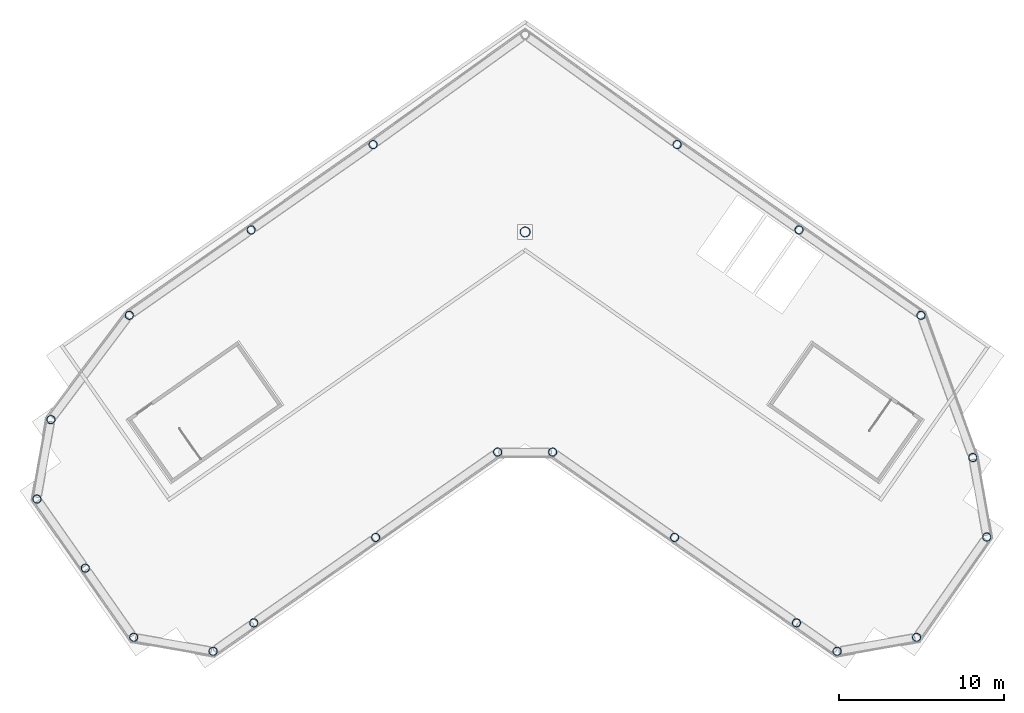
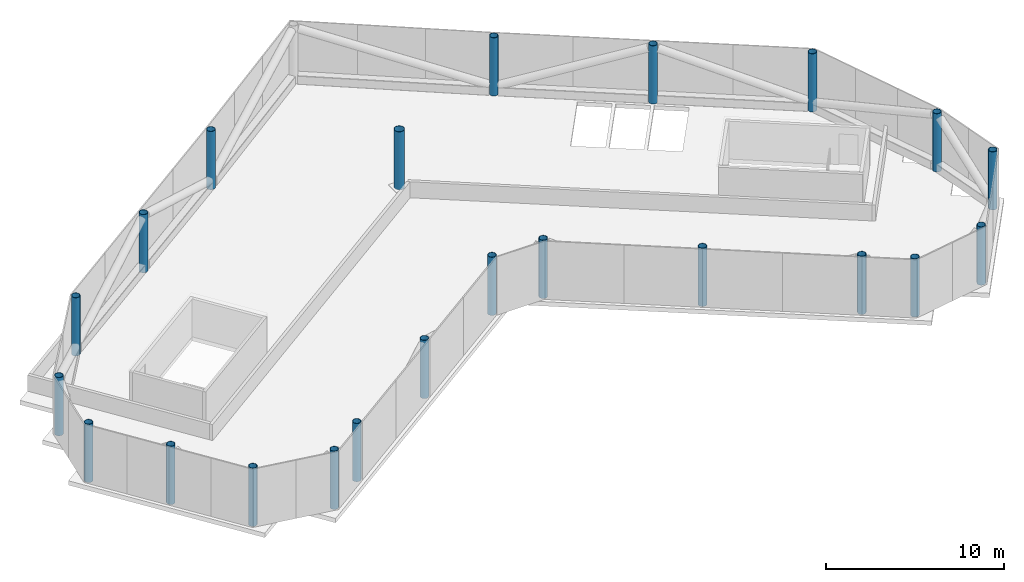
# One storey, part 1 of 4: 22 columns.
"""IFC4 building model written with IfcOpenShell, lengths in metres."""

from ifc_helpers import new_model, si_unit, direction, frame, origin, origin_with_axes, origin_2d, place, context, subcontext, project, spatial, hollow_circle, extrude, material, material_profile, profile_set, type_object, element, save


model = new_model("IFC4")

# Units and contexts
model_context = context("Model", 3, precision=1e-05, world=origin(), true_north=direction((0.0, 1.0)))
body_context = subcontext(model_context, "Body", "Model", "MODEL_VIEW")
ifc_project = project(units=[si_unit("LENGTHUNIT", "METRE"), si_unit("AREAUNIT", "SQUARE_METRE"), si_unit("VOLUMEUNIT", "CUBIC_METRE"), si_unit("PLANEANGLEUNIT", "RADIAN"), si_unit("MASSUNIT", "GRAM", prefix="KILO")], contexts=[model_context])

# Site, building, storey
site_placement = place(None, origin())
site = spatial("IfcSite", under=ifc_project, at=site_placement, CompositionType="ELEMENT")
building_placement = place(site_placement, origin())
building = spatial("IfcBuilding", under=site, at=building_placement, Name="Tel Ilan Convention Tower", CompositionType="ELEMENT")
storey_placement = place(building_placement, frame((0.0, 0.0, 318.800048828125)))
storey = spatial("IfcBuildingStorey", under=building, at=storey_placement, Name="L75", CompositionType="ELEMENT", Elevation=318.800048828125)

# Columns
ifc_material_1 = material(Name="Steel S355", Category="steel")
ifc_material_profile_1 = material_profile(ifc_material_1, hollow_circle(Radius=0.25390625, WallThickness=0.02490234375, at=origin_2d()), Name="CHS 508x25")
ifc_profile_set_1 = profile_set([ifc_material_profile_1], Name="Steel S355")
column_type_1 = type_object("IfcColumnType", Name="CROWN FRAME COLUMN CHS 508x25", PredefinedType="COLUMN", material=ifc_profile_set_1)
for number, where, z_axis, x_axis, name in (
    (1, (-18.866943359375, -25.35791015625, 0.0), (0.0, 0.0, 1.0), (1.0, 0.0, 0.0), "CROWN FRAME column"),
    (2, (-16.409912109375, -23.636962890625, 0.0), (0.0, 0.0, 1.0), (1.0, 0.0, 0.0), "CROWN FRAME column"),
    (3, (-9.0380859375, -18.47509765625, 0.0), (0.0, 0.0, 1.0), (1.0, 0.0, 0.0), "CROWN FRAME column"),
    (4, (-1.6650390625, -13.31298828125, 0.0), (0.0, 0.0, 1.0), (1.0, 0.0, 0.0), "CROWN FRAME column"),
    (5, (1.6650390625, -13.31298828125, 0.0), (0.0, 0.0, 1.0), (1.0, 0.0, 0.0), "CROWN FRAME column"),
    (6, (9.0380859375, -18.47509765625, 0.0), (0.0, 0.0, 1.0), (1.0, 0.0, 0.0), "CROWN FRAME column"),
    (7, (16.409912109375, -23.636962890625, 0.0), (0.0, 0.0, 1.0), (1.0, 0.0, 0.0), "CROWN FRAME column"),
    (8, (18.866943359375, -25.35791015625, 0.0), (0.0, 0.0, 1.0), (1.0, 0.0, 0.0), "CROWN FRAME column"),
    (9, (23.672119140625, -24.510986328125, 0.0), (0.0, 0.0, 1.0), (1.0, 0.0, 0.0), "CROWN FRAME column"),
    (10, (27.9169921875, -18.448974609375, 0.0), (0.0, 0.0, 1.0), (1.0, 0.0, 0.0), "CROWN FRAME column"),
    (11, (27.070068359375, -13.64404296875, 0.0), (0.0, 0.0, 1.0), (1.0, 0.0, 0.0), "CROWN FRAME column"),
    (12, (23.93701171875, -5.0419921875, 0.0), (0.0, 0.0, 1.0), (1.0, 0.0, 0.0), "CROWN FRAME column"),
    (13, (16.56494140625, 0.12109375, 0.0), (0.0, 0.0, 1.0), (1.0, 0.0, 0.0), "CROWN FRAME column"),
    (14, (9.193115234375, 5.282958984375, 0.0), (0.0, 0.0, 1.0), (1.0, 0.0, 0.0), "CROWN FRAME column"),
    (15, (-9.193115234375, 5.282958984375, 0.0), (0.0, 0.0, 1.0), (1.0, 0.0, 0.0), "CROWN FRAME column"),
    (16, (-16.56494140625, 0.12109375, 0.0), (0.0, 0.0, 1.0), (1.0, 0.0, 0.0), "CROWN FRAME column"),
    (17, (-23.93701171875, -5.0419921875, 0.0), (0.0, 0.0, 1.0), (1.0, 0.0, 0.0), "CROWN FRAME column"),
    (18, (-28.676025390625, -11.35009765625, 0.0), (0.0, 0.0, 1.0), (1.0, 0.0, 0.0), "CROWN FRAME column"),
    (19, (-29.52294921875, -16.155029296875, 0.0), (0.0, 0.0, 1.0), (1.0, 0.0, 0.0), "CROWN FRAME column"),
    (20, (-26.597900390625, -20.3330078125, 0.0), (0.0, 0.0, 1.0), (1.0, 0.0, 0.0), "CROWN FRAME column"),
    (21, (-23.672119140625, -24.510986328125, 0.0), (0.0, 0.0, 1.0), (1.0, 0.0, 0.0), "CROWN FRAME column"),
):
    element("IfcColumn", number, at=place(storey_placement, frame(where, z_axis=z_axis, x_axis=x_axis)), inside=storey, type_object=column_type_1, Name=name, PredefinedType="COLUMN", context=body_context, shape_type="SweptSolid", body=[
        extrude(hollow_circle(Radius=0.25390625, WallThickness=0.02490234375, at=origin_2d()), origin(), (0.0, 0.0, 1.0), 4.0),
    ])
ifc_material_2 = material(Name="Steel S355", Category="steel")
ifc_material_profile_2 = material_profile(ifc_material_2, hollow_circle(Radius=0.304931640625, WallThickness=0.02001953125, at=origin_2d()), Name="CHS 610x20")
ifc_profile_set_2 = profile_set([ifc_material_profile_2], Name="Steel S355")
column_type_2 = type_object("IfcColumnType", Name="CROWN FRAME MAST CHS 610x20", PredefinedType="COLUMN", material=ifc_profile_set_2)
column_placement = place(storey_placement, origin_with_axes())
element("IfcColumn", 22, at=column_placement, inside=storey, type_object=column_type_2, Name="CROWN FRAME mast", PredefinedType="COLUMN", context=body_context, shape_type="SweptSolid", body=[
    extrude(hollow_circle(Radius=0.304931640625, WallThickness=0.02001953125, at=origin_2d()), origin(), (0.0, 0.0, 1.0), 4.0),
])

save(model, "model.ifc")
